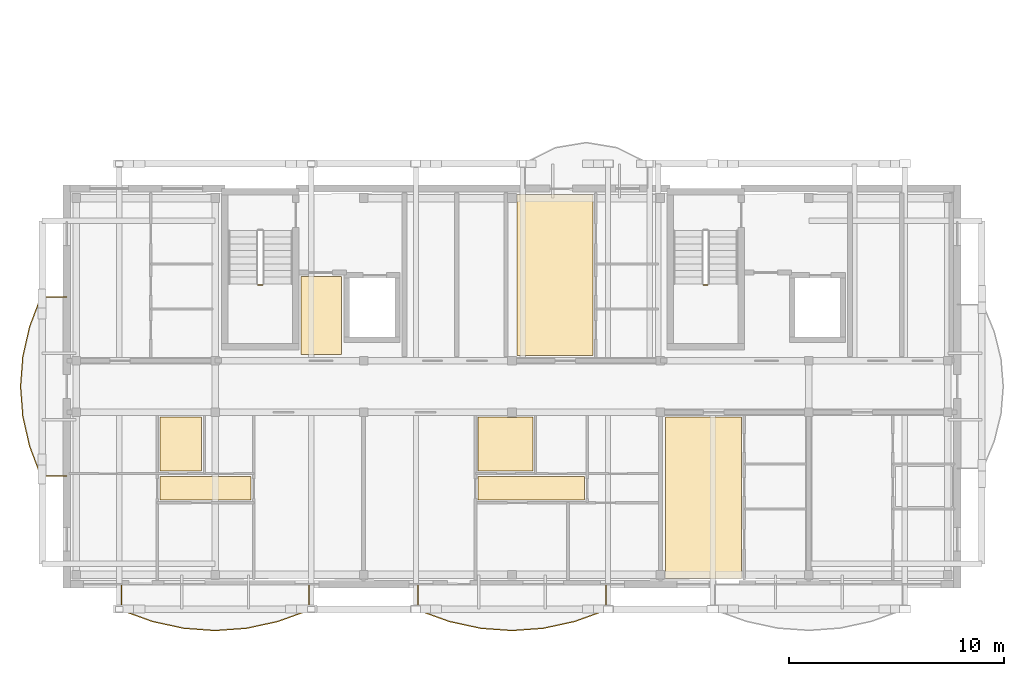
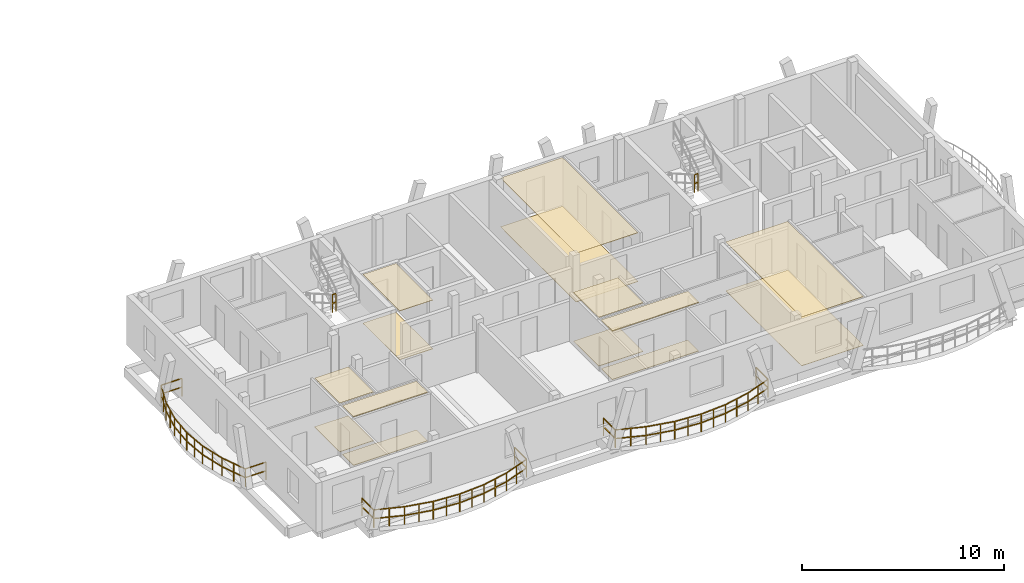
# One storey, part 15 of 18: 14 coverings, 5 railings.
"""IFC4 building model written with IfcOpenShell, lengths in metres."""

from ifc_helpers import new_model, si_unit, direction, frame, origin, origin_2d, place, context, subcontext, project, spatial, polyline, rectangle, outline, extrude, material, layer, layer_set, type_object, element, save


model = new_model("IFC4")

# Units and contexts
model_context = context("Model", 3, precision=1e-05, world=origin(), true_north=direction((0.0, 1.0)))
body_context = subcontext(model_context, "Body", "Model", "MODEL_VIEW")
ifc_project = project(units=[si_unit("LENGTHUNIT", "METRE"), si_unit("AREAUNIT", "SQUARE_METRE"), si_unit("VOLUMEUNIT", "CUBIC_METRE"), si_unit("PLANEANGLEUNIT", "RADIAN"), si_unit("MASSUNIT", "GRAM", prefix="KILO")], contexts=[model_context])

# Site, building, storey
site_placement = place(None, origin())
site = spatial("IfcSite", under=ifc_project, at=site_placement, CompositionType="ELEMENT")
building_placement = place(site_placement, origin())
building = spatial("IfcBuilding", under=site, at=building_placement, Name="Zavelmont Quarter", CompositionType="ELEMENT")
storey_placement = place(building_placement, frame((0.0, 0.0, 40.0)))
storey = spatial("IfcBuildingStorey", under=building, at=storey_placement, Name="L12", CompositionType="ELEMENT", Elevation=40.0)

# Coverings
ifc_material_1 = material(Name="Perforated acoustic gypsum board")
ifc_layer_1 = layer(ifc_material_1, 0.02490234375)
ifc_layer_set_1 = layer_set([ifc_layer_1], Name="Perforated acoustic gypsum board")
covering_type_1 = type_object("IfcCoveringType", Name="CV-CL01", PredefinedType="CEILING", material=ifc_layer_set_1)
covering_1_placement = place(storey_placement, frame((0.0, 0.0, 2.945068359375)))
element("IfcCovering", 1, at=covering_1_placement, inside=storey, type_object=covering_type_1, Name="L12 Lobby Vestibule acoustic ceiling", PredefinedType="CEILING", context=body_context, shape_type="SweptSolid", body=[
    extrude(outline(polyline([(10.8798828125, 14.320068359375), (12.77001953125, 14.320068359375), (12.77001953125, 10.679931640625), (10.8798828125, 10.679931640625), (10.8798828125, 14.320068359375)])), origin(), (0.0, 0.0, 1.0), 0.02490234375),
])
covering_2_placement = place(storey_placement, frame((0.0, 0.0, 2.945068359375)))
element("IfcCovering", 2, at=covering_2_placement, inside=storey, type_object=covering_type_1, Name="L12 Kitchen acoustic ceiling", PredefinedType="CEILING", context=body_context, shape_type="SweptSolid", body=[
    extrude(outline(polyline([(19.1298828125, 7.77001953125), (20.4599609375, 7.77001953125), (20.4599609375, 7.760009765625), (20.93994140625, 7.760009765625), (20.93994140625, 7.77001953125), (21.669921875, 7.77001953125), (21.669921875, 5.280029296875), (19.1298828125, 5.280029296875), (19.1298828125, 7.77001953125)])), origin(), (0.0, 0.0, 1.0), 0.02490234375),
])
covering_3_placement = place(storey_placement, frame((0.0, 0.0, 2.945068359375)))
element("IfcCovering", 3, at=covering_3_placement, inside=storey, type_object=covering_type_1, Name="L12 Living Dining acoustic ceiling", PredefinedType="CEILING", context=body_context, shape_type="SweptSolid", body=[
    extrude(outline(polyline([(27.830078125, 7.760009765625), (27.840087890625, 7.760009765625), (27.840087890625, 7.77001953125), (31.3701171875, 7.77001953125), (31.3701171875, 0.280029296875), (27.840087890625, 0.280029296875), (27.840087890625, 0.679931640625), (27.830078125, 0.679931640625), (27.830078125, 7.760009765625)])), origin(), (0.0, 0.0, 1.0), 0.02490234375),
])
covering_4_placement = place(storey_placement, frame((0.0, 0.0, 2.945068359375)))
element("IfcCovering", 4, at=covering_4_placement, inside=storey, type_object=covering_type_1, Name="L12 Living Dining acoustic ceiling", PredefinedType="CEILING", context=body_context, shape_type="SweptSolid", body=[
    extrude(outline(polyline([(20.929931640625, 17.719970703125), (20.93994140625, 17.719970703125), (20.93994140625, 18.1201171875), (24.469970703125, 18.1201171875), (24.469970703125, 10.6298828125), (20.93994140625, 10.6298828125), (20.93994140625, 10.639892578125), (20.929931640625, 10.639892578125), (20.929931640625, 17.719970703125)])), origin(), (0.0, 0.0, 1.0), 0.02490234375),
])
ifc_material_2 = material(Name="Slatted European ash acoustic baffle ceiling")
ifc_layer_2 = layer(ifc_material_2, 0.0400390625)
ifc_layer_set_2 = layer_set([ifc_layer_2], Name="Slatted European ash acoustic baffle ceiling")
covering_type_2 = type_object("IfcCoveringType", Name="CV-CL02", PredefinedType="CEILING", material=ifc_layer_set_2)
covering_5_placement = place(storey_placement, frame((0.0, 0.0, 2.929931640625)))
element("IfcCovering", 5, at=covering_5_placement, inside=storey, type_object=covering_type_2, Name="L12 Apartment Hall acoustic ceiling", PredefinedType="CEILING", context=body_context, shape_type="SweptSolid", body=[
    extrude(outline(polyline([(4.330078125, 5.02001953125), (8.570068359375, 5.02001953125), (8.570068359375, 3.929931640625), (4.330078125, 3.929931640625), (4.330078125, 5.02001953125)])), origin(), (0.0, 0.0, 1.0), 0.0400390625),
])
covering_6_placement = place(storey_placement, frame((0.0, 0.0, 2.929931640625)))
element("IfcCovering", 6, at=covering_6_placement, inside=storey, type_object=covering_type_2, Name="L12 Apartment Hall acoustic ceiling", PredefinedType="CEILING", context=body_context, shape_type="SweptSolid", body=[
    extrude(outline(polyline([(19.1298828125, 5.02001953125), (24.070068359375, 5.02001953125), (24.070068359375, 3.929931640625), (19.1298828125, 3.929931640625), (19.1298828125, 5.02001953125)])), origin(), (0.0, 0.0, 1.0), 0.0400390625),
])
ifc_material_3 = material(Name="Moisture-resistant painted gypsum ceiling")
ifc_layer_3 = layer(ifc_material_3, 0.02001953125)
ifc_layer_set_3 = layer_set([ifc_layer_3], Name="Moisture-resistant painted gypsum ceiling")
covering_type_3 = type_object("IfcCoveringType", Name="CV-CL04", PredefinedType="CEILING", material=ifc_layer_set_3)
covering_7_placement = place(storey_placement, frame((0.0, 0.0, 2.949951171875)))
element("IfcCovering", 7, at=covering_7_placement, inside=storey, type_object=covering_type_3, Name="L12 Bathroom acoustic ceiling", PredefinedType="CEILING", context=body_context, shape_type="SweptSolid", body=[
    extrude(outline(polyline([(4.330078125, 7.77001953125), (6.27001953125, 7.77001953125), (6.27001953125, 5.280029296875), (4.330078125, 5.280029296875), (4.330078125, 7.77001953125)])), origin(), (0.0, 0.0, 1.0), 0.02001953125),
])
ifc_material_4 = material(Name="Engineered European oak parquet")
ifc_layer_4 = layer(ifc_material_4, 0.02197265625)
ifc_layer_set_4 = layer_set([ifc_layer_4], Name="Engineered European oak parquet")
covering_type_4 = type_object("IfcCoveringType", Name="CV-FL01", PredefinedType="FLOORING", material=ifc_layer_set_4)
covering_8_placement = place(storey_placement, origin())
element("IfcCovering", 8, at=covering_8_placement, inside=storey, type_object=covering_type_4, Name="L12 Lobby Vestibule floor finish", PredefinedType="FLOORING", context=body_context, shape_type="SweptSolid", body=[
    extrude(outline(polyline([(10.8798828125, 14.320068359375), (12.77001953125, 14.320068359375), (12.77001953125, 10.679931640625), (10.8798828125, 10.679931640625), (10.8798828125, 14.320068359375)])), origin(), (0.0, 0.0, 1.0), 0.02197265625),
])
covering_9_placement = place(storey_placement, origin())
element("IfcCovering", 9, at=covering_9_placement, inside=storey, type_object=covering_type_4, Name="L12 Kitchen floor finish", PredefinedType="FLOORING", context=body_context, shape_type="SweptSolid", body=[
    extrude(outline(polyline([(19.1298828125, 7.77001953125), (20.4599609375, 7.77001953125), (20.4599609375, 7.760009765625), (20.93994140625, 7.760009765625), (20.93994140625, 7.77001953125), (21.669921875, 7.77001953125), (21.669921875, 5.280029296875), (19.1298828125, 5.280029296875), (19.1298828125, 7.77001953125)])), origin(), (0.0, 0.0, 1.0), 0.02197265625),
])
covering_10_placement = place(storey_placement, origin())
element("IfcCovering", 10, at=covering_10_placement, inside=storey, type_object=covering_type_4, Name="L12 Living Dining floor finish", PredefinedType="FLOORING", context=body_context, shape_type="SweptSolid", body=[
    extrude(outline(polyline([(27.830078125, 7.760009765625), (27.840087890625, 7.760009765625), (27.840087890625, 7.77001953125), (31.3701171875, 7.77001953125), (31.3701171875, 0.280029296875), (27.840087890625, 0.280029296875), (27.840087890625, 0.679931640625), (27.830078125, 0.679931640625), (27.830078125, 7.760009765625)])), origin(), (0.0, 0.0, 1.0), 0.02197265625),
])
covering_11_placement = place(storey_placement, origin())
element("IfcCovering", 11, at=covering_11_placement, inside=storey, type_object=covering_type_4, Name="L12 Living Dining floor finish", PredefinedType="FLOORING", context=body_context, shape_type="SweptSolid", body=[
    extrude(outline(polyline([(20.929931640625, 17.719970703125), (20.93994140625, 17.719970703125), (20.93994140625, 18.1201171875), (24.469970703125, 18.1201171875), (24.469970703125, 10.6298828125), (20.93994140625, 10.6298828125), (20.93994140625, 10.639892578125), (20.929931640625, 10.639892578125), (20.929931640625, 17.719970703125)])), origin(), (0.0, 0.0, 1.0), 0.02197265625),
])
ifc_material_5 = material(Name="Honed Belgian bluestone tile", Category="masonry")
ifc_layer_5 = layer(ifc_material_5, 0.030029296875)
ifc_layer_set_5 = layer_set([ifc_layer_5], Name="Honed Belgian bluestone tile")
covering_type_5 = type_object("IfcCoveringType", Name="CV-FL02", PredefinedType="FLOORING", material=ifc_layer_set_5)
covering_12_placement = place(storey_placement, origin())
element("IfcCovering", 12, at=covering_12_placement, inside=storey, type_object=covering_type_5, Name="L12 Apartment Hall floor finish", PredefinedType="FLOORING", context=body_context, shape_type="SweptSolid", body=[
    extrude(outline(polyline([(4.330078125, 5.02001953125), (8.570068359375, 5.02001953125), (8.570068359375, 3.929931640625), (4.330078125, 3.929931640625), (4.330078125, 5.02001953125)])), origin(), (0.0, 0.0, 1.0), 0.030029296875),
])
covering_13_placement = place(storey_placement, origin())
element("IfcCovering", 13, at=covering_13_placement, inside=storey, type_object=covering_type_5, Name="L12 Apartment Hall floor finish", PredefinedType="FLOORING", context=body_context, shape_type="SweptSolid", body=[
    extrude(outline(polyline([(19.1298828125, 5.02001953125), (24.070068359375, 5.02001953125), (24.070068359375, 3.929931640625), (19.1298828125, 3.929931640625), (19.1298828125, 5.02001953125)])), origin(), (0.0, 0.0, 1.0), 0.030029296875),
])
ifc_material_6 = material(Name="Slip-resistant porcelain tile")
ifc_layer_6 = layer(ifc_material_6, 0.02587890625)
ifc_layer_set_6 = layer_set([ifc_layer_6], Name="Slip-resistant porcelain tile")
covering_type_6 = type_object("IfcCoveringType", Name="CV-FL04", PredefinedType="FLOORING", material=ifc_layer_set_6)
covering_14_placement = place(storey_placement, origin())
element("IfcCovering", 14, at=covering_14_placement, inside=storey, type_object=covering_type_6, Name="L12 Bathroom floor finish", PredefinedType="FLOORING", context=body_context, shape_type="SweptSolid", body=[
    extrude(outline(polyline([(4.330078125, 7.77001953125), (6.27001953125, 7.77001953125), (6.27001953125, 5.280029296875), (4.330078125, 5.280029296875), (4.330078125, 7.77001953125)])), origin(), (0.0, 0.0, 1.0), 0.02587890625),
])

# Railings
ifc_material_7 = material(Name="Powder-coated steel and tempered double safety glass", Category="steel")
railing_type_1 = type_object("IfcRailingType", Name="RL-BAL1", PredefinedType="BALUSTRADE", material=ifc_material_7)
railing_1_placement = place(storey_placement, frame((2.534912109375, -0.02001953125, 0.0)))
element("IfcRailing", 15, at=railing_1_placement, inside=storey, type_object=railing_type_1, Name="L12 Block A curved balcony guard RL-BAL1", PredefinedType="BALUSTRADE", context=body_context, shape_type="SweptSolid", body=[
    extrude(rectangle(XDim=0.048095703125, YDim=0.048095703125, at=origin_2d()), frame((0.0, 0.0, 1.076171875), z_axis=(0.0, -1.0, 0.0), x_axis=(1.0, 0.0, 0.0)), (0.0, 0.0, 1.0), 1.18408203125),
    extrude(rectangle(XDim=0.048095703125, YDim=0.048095703125, at=origin_2d()), frame((0.0, 0.0, 0.550048828125), z_axis=(0.0, -1.0, 0.0), x_axis=(1.0, 0.0, 0.0)), (0.0, 0.0, 1.0), 1.18408203125),
    extrude(rectangle(XDim=0.048095703125, YDim=0.048095703125, at=origin_2d()), frame((0.0, -1.18408203125, 1.076171875), z_axis=(0.940565102283, -0.339613439616, 0.0), x_axis=(0.339613439616, 0.940565102283, 0.0)), (0.0, 0.0, 1.0), 1.547119140625),
    extrude(rectangle(XDim=0.048095703125, YDim=0.048095703125, at=origin_2d()), frame((0.0, -1.18408203125, 0.550048828125), z_axis=(0.940565102283, -0.339613439616, 0.0), x_axis=(0.339613439616, 0.940565102283, 0.0)), (0.0, 0.0, 1.0), 1.547119140625),
    extrude(rectangle(XDim=0.048095703125, YDim=0.048095703125, at=origin_2d()), frame((1.455078125, -1.70947265625, 1.076171875), z_axis=(0.977300510987, -0.211857761778, 0.0), x_axis=(0.211857761778, 0.977300510987, 0.0)), (0.0, 0.0, 1.0), 1.48876953125),
    extrude(rectangle(XDim=0.048095703125, YDim=0.048095703125, at=origin_2d()), frame((1.455078125, -1.70947265625, 0.550048828125), z_axis=(0.977300510987, -0.211857761778, 0.0), x_axis=(0.211857761778, 0.977300510987, 0.0)), (0.0, 0.0, 1.0), 1.48876953125),
    extrude(rectangle(XDim=0.048095703125, YDim=0.048095703125, at=origin_2d()), frame((2.91015625, -2.02490234375, 1.076171875), z_axis=(0.997406608157, -0.07197261982, 0.0), x_axis=(0.07197261982, 0.997406608157, 0.0)), (0.0, 0.0, 1.0), 1.45849609375),
    extrude(rectangle(XDim=0.048095703125, YDim=0.048095703125, at=origin_2d()), frame((2.91015625, -2.02490234375, 0.550048828125), z_axis=(0.997406608157, -0.07197261982, 0.0), x_axis=(0.07197261982, 0.997406608157, 0.0)), (0.0, 0.0, 1.0), 1.45849609375),
    extrude(rectangle(XDim=0.048095703125, YDim=0.048095703125, at=origin_2d()), frame((4.364990234375, -2.1298828125, 1.076171875), z_axis=(0.997407474969, 0.071960606416, 0.0), x_axis=(-0.071960606416, 0.997407474969, 0.0)), (0.0, 0.0, 1.0), 1.458740234375),
    extrude(rectangle(XDim=0.048095703125, YDim=0.048095703125, at=origin_2d()), frame((4.364990234375, -2.1298828125, 0.550048828125), z_axis=(0.997407474969, 0.071960606416, 0.0), x_axis=(-0.071960606416, 0.997407474969, 0.0)), (0.0, 0.0, 1.0), 1.458740234375),
    extrude(rectangle(XDim=0.048095703125, YDim=0.048095703125, at=origin_2d()), frame((5.820068359375, -2.02490234375, 1.076171875), z_axis=(0.977300510987, 0.211857761778, 0.0), x_axis=(-0.211857761778, 0.977300510987, 0.0)), (0.0, 0.0, 1.0), 1.48876953125),
    extrude(rectangle(XDim=0.048095703125, YDim=0.048095703125, at=origin_2d()), frame((5.820068359375, -2.02490234375, 0.550048828125), z_axis=(0.977300510987, 0.211857761778, 0.0), x_axis=(-0.211857761778, 0.977300510987, 0.0)), (0.0, 0.0, 1.0), 1.48876953125),
    extrude(rectangle(XDim=0.048095703125, YDim=0.048095703125, at=origin_2d()), frame((7.275146484375, -1.70947265625, 1.076171875), z_axis=(0.940546896513, 0.339663856569, 0.0), x_axis=(-0.339663856569, 0.940546896513, 0.0)), (0.0, 0.0, 1.0), 1.546875),
    extrude(rectangle(XDim=0.048095703125, YDim=0.048095703125, at=origin_2d()), frame((7.275146484375, -1.70947265625, 0.550048828125), z_axis=(0.940546896513, 0.339663856569, 0.0), x_axis=(-0.339663856569, 0.940546896513, 0.0)), (0.0, 0.0, 1.0), 1.546875),
    extrude(rectangle(XDim=0.048095703125, YDim=0.048095703125, at=origin_2d()), frame((8.72998046875, -1.18408203125, 1.076171875), z_axis=(0.0, 1.0, 0.0), x_axis=(-1.0, 0.0, 0.0)), (0.0, 0.0, 1.0), 1.18408203125),
    extrude(rectangle(XDim=0.048095703125, YDim=0.048095703125, at=origin_2d()), frame((8.72998046875, -1.18408203125, 0.550048828125), z_axis=(0.0, 1.0, 0.0), x_axis=(-1.0, 0.0, 0.0)), (0.0, 0.0, 1.0), 1.18408203125),
    extrude(rectangle(XDim=0.0419921875, YDim=0.0419921875, at=origin_2d()), origin(), (0.0, 0.0, 1.0), 1.052001953125),
    extrude(rectangle(XDim=0.0419921875, YDim=0.0419921875, at=origin_2d()), frame((0.0, -1.18408203125, 0.0)), (0.0, 0.0, 1.0), 1.052001953125),
    extrude(rectangle(XDim=0.0419921875, YDim=0.0419921875, at=origin_2d()), frame((0.7275390625, -1.44677734375, 0.0)), (0.0, 0.0, 1.0), 1.052001953125),
    extrude(rectangle(XDim=0.0419921875, YDim=0.0419921875, at=origin_2d()), frame((1.455078125, -1.70947265625, 0.0)), (0.0, 0.0, 1.0), 1.052001953125),
    extrude(rectangle(XDim=0.0419921875, YDim=0.0419921875, at=origin_2d()), frame((2.1826171875, -1.8671875, 0.0)), (0.0, 0.0, 1.0), 1.052001953125),
    extrude(rectangle(XDim=0.0419921875, YDim=0.0419921875, at=origin_2d()), frame((2.91015625, -2.02490234375, 0.0)), (0.0, 0.0, 1.0), 1.052001953125),
    extrude(rectangle(XDim=0.0419921875, YDim=0.0419921875, at=origin_2d()), frame((3.6376953125, -2.077392578125, 0.0)), (0.0, 0.0, 1.0), 1.052001953125),
    extrude(rectangle(XDim=0.0419921875, YDim=0.0419921875, at=origin_2d()), frame((4.364990234375, -2.1298828125, 0.0)), (0.0, 0.0, 1.0), 1.052001953125),
    extrude(rectangle(XDim=0.0419921875, YDim=0.0419921875, at=origin_2d()), frame((5.092529296875, -2.077392578125, 0.0)), (0.0, 0.0, 1.0), 1.052001953125),
    extrude(rectangle(XDim=0.0419921875, YDim=0.0419921875, at=origin_2d()), frame((5.820068359375, -2.02490234375, 0.0)), (0.0, 0.0, 1.0), 1.052001953125),
    extrude(rectangle(XDim=0.0419921875, YDim=0.0419921875, at=origin_2d()), frame((6.547607421875, -1.8671875, 0.0)), (0.0, 0.0, 1.0), 1.052001953125),
    extrude(rectangle(XDim=0.0419921875, YDim=0.0419921875, at=origin_2d()), frame((7.275146484375, -1.70947265625, 0.0)), (0.0, 0.0, 1.0), 1.052001953125),
    extrude(rectangle(XDim=0.0419921875, YDim=0.0419921875, at=origin_2d()), frame((8.00244140625, -1.44677734375, 0.0)), (0.0, 0.0, 1.0), 1.052001953125),
    extrude(rectangle(XDim=0.0419921875, YDim=0.0419921875, at=origin_2d()), frame((8.72998046875, -1.18408203125, 0.0)), (0.0, 0.0, 1.0), 1.052001953125),
    extrude(rectangle(XDim=0.0419921875, YDim=0.0419921875, at=origin_2d()), frame((8.72998046875, 0.0, 0.0)), (0.0, 0.0, 1.0), 1.052001953125),
])
railing_2_placement = place(storey_placement, frame((16.3349609375, -0.02001953125, 0.0)))
element("IfcRailing", 16, at=railing_2_placement, inside=storey, type_object=railing_type_1, Name="L12 Block A curved balcony guard RL-BAL1", PredefinedType="BALUSTRADE", context=body_context, shape_type="SweptSolid", body=[
    extrude(rectangle(XDim=0.048095703125, YDim=0.048095703125, at=origin_2d()), frame((0.0, 0.0, 1.076171875), z_axis=(0.0, -1.0, 0.0), x_axis=(1.0, 0.0, 0.0)), (0.0, 0.0, 1.0), 1.18408203125),
    extrude(rectangle(XDim=0.048095703125, YDim=0.048095703125, at=origin_2d()), frame((0.0, 0.0, 0.550048828125), z_axis=(0.0, -1.0, 0.0), x_axis=(1.0, 0.0, 0.0)), (0.0, 0.0, 1.0), 1.18408203125),
    extrude(rectangle(XDim=0.048095703125, YDim=0.048095703125, at=origin_2d()), frame((0.0, -1.18408203125, 1.076171875), z_axis=(0.940565102283, -0.339613439616, 0.0), x_axis=(0.339613439616, 0.940565102283, 0.0)), (0.0, 0.0, 1.0), 1.547119140625),
    extrude(rectangle(XDim=0.048095703125, YDim=0.048095703125, at=origin_2d()), frame((0.0, -1.18408203125, 0.550048828125), z_axis=(0.940565102283, -0.339613439616, 0.0), x_axis=(0.339613439616, 0.940565102283, 0.0)), (0.0, 0.0, 1.0), 1.547119140625),
    extrude(rectangle(XDim=0.048095703125, YDim=0.048095703125, at=origin_2d()), frame((1.455078125, -1.70947265625, 1.076171875), z_axis=(0.977300510987, -0.211857761778, 0.0), x_axis=(0.211857761778, 0.977300510987, 0.0)), (0.0, 0.0, 1.0), 1.48876953125),
    extrude(rectangle(XDim=0.048095703125, YDim=0.048095703125, at=origin_2d()), frame((1.455078125, -1.70947265625, 0.550048828125), z_axis=(0.977300510987, -0.211857761778, 0.0), x_axis=(0.211857761778, 0.977300510987, 0.0)), (0.0, 0.0, 1.0), 1.48876953125),
    extrude(rectangle(XDim=0.048095703125, YDim=0.048095703125, at=origin_2d()), frame((2.91015625, -2.02490234375, 1.076171875), z_axis=(0.997406608157, -0.07197261982, 0.0), x_axis=(0.07197261982, 0.997406608157, 0.0)), (0.0, 0.0, 1.0), 1.45849609375),
    extrude(rectangle(XDim=0.048095703125, YDim=0.048095703125, at=origin_2d()), frame((2.91015625, -2.02490234375, 0.550048828125), z_axis=(0.997406608157, -0.07197261982, 0.0), x_axis=(0.07197261982, 0.997406608157, 0.0)), (0.0, 0.0, 1.0), 1.45849609375),
    extrude(rectangle(XDim=0.048095703125, YDim=0.048095703125, at=origin_2d()), frame((4.364990234375, -2.1298828125, 1.076171875), z_axis=(0.997407474969, 0.071960606416, 0.0), x_axis=(-0.071960606416, 0.997407474969, 0.0)), (0.0, 0.0, 1.0), 1.458740234375),
    extrude(rectangle(XDim=0.048095703125, YDim=0.048095703125, at=origin_2d()), frame((4.364990234375, -2.1298828125, 0.550048828125), z_axis=(0.997407474969, 0.071960606416, 0.0), x_axis=(-0.071960606416, 0.997407474969, 0.0)), (0.0, 0.0, 1.0), 1.458740234375),
    extrude(rectangle(XDim=0.048095703125, YDim=0.048095703125, at=origin_2d()), frame((5.820068359375, -2.02490234375, 1.076171875), z_axis=(0.977300510987, 0.211857761778, 0.0), x_axis=(-0.211857761778, 0.977300510987, 0.0)), (0.0, 0.0, 1.0), 1.48876953125),
    extrude(rectangle(XDim=0.048095703125, YDim=0.048095703125, at=origin_2d()), frame((5.820068359375, -2.02490234375, 0.550048828125), z_axis=(0.977300510987, 0.211857761778, 0.0), x_axis=(-0.211857761778, 0.977300510987, 0.0)), (0.0, 0.0, 1.0), 1.48876953125),
    extrude(rectangle(XDim=0.048095703125, YDim=0.048095703125, at=origin_2d()), frame((7.275146484375, -1.70947265625, 1.076171875), z_axis=(0.940546896513, 0.339663856569, 0.0), x_axis=(-0.339663856569, 0.940546896513, 0.0)), (0.0, 0.0, 1.0), 1.546875),
    extrude(rectangle(XDim=0.048095703125, YDim=0.048095703125, at=origin_2d()), frame((7.275146484375, -1.70947265625, 0.550048828125), z_axis=(0.940546896513, 0.339663856569, 0.0), x_axis=(-0.339663856569, 0.940546896513, 0.0)), (0.0, 0.0, 1.0), 1.546875),
    extrude(rectangle(XDim=0.048095703125, YDim=0.048095703125, at=origin_2d()), frame((8.72998046875, -1.18408203125, 1.076171875), z_axis=(0.0, 1.0, 0.0), x_axis=(-1.0, 0.0, 0.0)), (0.0, 0.0, 1.0), 1.18408203125),
    extrude(rectangle(XDim=0.048095703125, YDim=0.048095703125, at=origin_2d()), frame((8.72998046875, -1.18408203125, 0.550048828125), z_axis=(0.0, 1.0, 0.0), x_axis=(-1.0, 0.0, 0.0)), (0.0, 0.0, 1.0), 1.18408203125),
    extrude(rectangle(XDim=0.0419921875, YDim=0.0419921875, at=origin_2d()), origin(), (0.0, 0.0, 1.0), 1.052001953125),
    extrude(rectangle(XDim=0.0419921875, YDim=0.0419921875, at=origin_2d()), frame((0.0, -1.18408203125, 0.0)), (0.0, 0.0, 1.0), 1.052001953125),
    extrude(rectangle(XDim=0.0419921875, YDim=0.0419921875, at=origin_2d()), frame((0.7275390625, -1.44677734375, 0.0)), (0.0, 0.0, 1.0), 1.052001953125),
    extrude(rectangle(XDim=0.0419921875, YDim=0.0419921875, at=origin_2d()), frame((1.455078125, -1.70947265625, 0.0)), (0.0, 0.0, 1.0), 1.052001953125),
    extrude(rectangle(XDim=0.0419921875, YDim=0.0419921875, at=origin_2d()), frame((2.1826171875, -1.8671875, 0.0)), (0.0, 0.0, 1.0), 1.052001953125),
    extrude(rectangle(XDim=0.0419921875, YDim=0.0419921875, at=origin_2d()), frame((2.91015625, -2.02490234375, 0.0)), (0.0, 0.0, 1.0), 1.052001953125),
    extrude(rectangle(XDim=0.0419921875, YDim=0.0419921875, at=origin_2d()), frame((3.6376953125, -2.077392578125, 0.0)), (0.0, 0.0, 1.0), 1.052001953125),
    extrude(rectangle(XDim=0.0419921875, YDim=0.0419921875, at=origin_2d()), frame((4.364990234375, -2.1298828125, 0.0)), (0.0, 0.0, 1.0), 1.052001953125),
    extrude(rectangle(XDim=0.0419921875, YDim=0.0419921875, at=origin_2d()), frame((5.092529296875, -2.077392578125, 0.0)), (0.0, 0.0, 1.0), 1.052001953125),
    extrude(rectangle(XDim=0.0419921875, YDim=0.0419921875, at=origin_2d()), frame((5.820068359375, -2.02490234375, 0.0)), (0.0, 0.0, 1.0), 1.052001953125),
    extrude(rectangle(XDim=0.0419921875, YDim=0.0419921875, at=origin_2d()), frame((6.547607421875, -1.8671875, 0.0)), (0.0, 0.0, 1.0), 1.052001953125),
    extrude(rectangle(XDim=0.0419921875, YDim=0.0419921875, at=origin_2d()), frame((7.275146484375, -1.70947265625, 0.0)), (0.0, 0.0, 1.0), 1.052001953125),
    extrude(rectangle(XDim=0.0419921875, YDim=0.0419921875, at=origin_2d()), frame((8.00244140625, -1.44677734375, 0.0)), (0.0, 0.0, 1.0), 1.052001953125),
    extrude(rectangle(XDim=0.0419921875, YDim=0.0419921875, at=origin_2d()), frame((8.72998046875, -1.18408203125, 0.0)), (0.0, 0.0, 1.0), 1.052001953125),
    extrude(rectangle(XDim=0.0419921875, YDim=0.0419921875, at=origin_2d()), frame((8.72998046875, 0.0, 0.0)), (0.0, 0.0, 1.0), 1.052001953125),
])
railing_3_placement = place(storey_placement, frame((-0.02001953125, 13.3662109375, 0.0)))
element("IfcRailing", 17, at=railing_3_placement, inside=storey, type_object=railing_type_1, Name="L12 Block A curved balcony guard RL-BAL1", PredefinedType="BALUSTRADE", context=body_context, shape_type="SweptSolid", body=[
    extrude(rectangle(XDim=0.048095703125, YDim=0.048095703125, at=origin_2d()), frame((0.0, 0.0, 1.076171875), z_axis=(-1.0, 0.0, 0.0), x_axis=(0.0, -1.0, 0.0)), (0.0, 0.0, 1.0), 1.18408203125),
    extrude(rectangle(XDim=0.048095703125, YDim=0.048095703125, at=origin_2d()), frame((0.0, 0.0, 0.550048828125), z_axis=(-1.0, 0.0, 0.0), x_axis=(0.0, -1.0, 0.0)), (0.0, 0.0, 1.0), 1.18408203125),
    extrude(rectangle(XDim=0.048095703125, YDim=0.048095703125, at=origin_2d()), frame((-1.18408203125, 0.0, 1.076171875), z_axis=(-0.35386099669, -0.935298024708, 0.0), x_axis=(0.935298024708, -0.35386099669, 0.0)), (0.0, 0.0, 1.0), 1.484619140625),
    extrude(rectangle(XDim=0.048095703125, YDim=0.048095703125, at=origin_2d()), frame((-1.18408203125, 0.0, 0.550048828125), z_axis=(-0.35386099669, -0.935298024708, 0.0), x_axis=(0.935298024708, -0.35386099669, 0.0)), (0.0, 0.0, 1.0), 1.484619140625),
    extrude(rectangle(XDim=0.048095703125, YDim=0.048095703125, at=origin_2d()), frame((-1.70947265625, -1.388671875, 1.076171875), z_axis=(-0.221465515744, -0.975168203612, 0.0), x_axis=(0.975168203612, -0.221465515744, 0.0)), (0.0, 0.0, 1.0), 1.42431640625),
    extrude(rectangle(XDim=0.048095703125, YDim=0.048095703125, at=origin_2d()), frame((-1.70947265625, -1.388671875, 0.550048828125), z_axis=(-0.221465515744, -0.975168203612, 0.0), x_axis=(0.975168203612, -0.221465515744, 0.0)), (0.0, 0.0, 1.0), 1.42431640625),
    extrude(rectangle(XDim=0.048095703125, YDim=0.048095703125, at=origin_2d()), frame((-2.02490234375, -2.777587890625, 1.076171875), z_axis=(-0.075382649869, -0.997154680127, 0.0), x_axis=(0.997154680127, -0.075382649869, 0.0)), (0.0, 0.0, 1.0), 1.392578125),
    extrude(rectangle(XDim=0.048095703125, YDim=0.048095703125, at=origin_2d()), frame((-2.02490234375, -2.777587890625, 0.550048828125), z_axis=(-0.075382649869, -0.997154680127, 0.0), x_axis=(0.997154680127, -0.075382649869, 0.0)), (0.0, 0.0, 1.0), 1.392578125),
    extrude(rectangle(XDim=0.048095703125, YDim=0.048095703125, at=origin_2d()), frame((-2.1298828125, -4.166259765625, 1.076171875), z_axis=(0.075382649869, -0.997154680127, 0.0), x_axis=(0.997154680127, 0.075382649869, 0.0)), (0.0, 0.0, 1.0), 1.392578125),
    extrude(rectangle(XDim=0.048095703125, YDim=0.048095703125, at=origin_2d()), frame((-2.1298828125, -4.166259765625, 0.550048828125), z_axis=(0.075382649869, -0.997154680127, 0.0), x_axis=(0.997154680127, 0.075382649869, 0.0)), (0.0, 0.0, 1.0), 1.392578125),
    extrude(rectangle(XDim=0.048095703125, YDim=0.048095703125, at=origin_2d()), frame((-2.02490234375, -5.554931640625, 1.076171875), z_axis=(0.221502541162, -0.975159794218, 0.0), x_axis=(0.975159794218, 0.221502541162, 0.0)), (0.0, 0.0, 1.0), 1.424072265625),
    extrude(rectangle(XDim=0.048095703125, YDim=0.048095703125, at=origin_2d()), frame((-2.02490234375, -5.554931640625, 0.550048828125), z_axis=(0.221502541162, -0.975159794218, 0.0), x_axis=(0.975159794218, 0.221502541162, 0.0)), (0.0, 0.0, 1.0), 1.424072265625),
    extrude(rectangle(XDim=0.048095703125, YDim=0.048095703125, at=origin_2d()), frame((-1.70947265625, -6.943603515625, 1.076171875), z_axis=(0.353806582629, -0.935318609934, 0.0), x_axis=(0.935318609934, 0.353806582629, 0.0)), (0.0, 0.0, 1.0), 1.48486328125),
    extrude(rectangle(XDim=0.048095703125, YDim=0.048095703125, at=origin_2d()), frame((-1.70947265625, -6.943603515625, 0.550048828125), z_axis=(0.353806582629, -0.935318609934, 0.0), x_axis=(0.935318609934, 0.353806582629, 0.0)), (0.0, 0.0, 1.0), 1.48486328125),
    extrude(rectangle(XDim=0.048095703125, YDim=0.048095703125, at=origin_2d()), frame((-1.18408203125, -8.33251953125, 1.076171875), z_axis=(1.0, 0.0, 0.0), x_axis=(0.0, 1.0, 0.0)), (0.0, 0.0, 1.0), 1.18408203125),
    extrude(rectangle(XDim=0.048095703125, YDim=0.048095703125, at=origin_2d()), frame((-1.18408203125, -8.33251953125, 0.550048828125), z_axis=(1.0, 0.0, 0.0), x_axis=(0.0, 1.0, 0.0)), (0.0, 0.0, 1.0), 1.18408203125),
    extrude(rectangle(XDim=0.0419921875, YDim=0.0419921875, at=origin_2d()), origin(), (0.0, 0.0, 1.0), 1.052001953125),
    extrude(rectangle(XDim=0.0419921875, YDim=0.0419921875, at=origin_2d()), frame((-1.18408203125, 0.0, 0.0)), (0.0, 0.0, 1.0), 1.052001953125),
    extrude(rectangle(XDim=0.0419921875, YDim=0.0419921875, at=origin_2d()), frame((-1.44677734375, -0.6943359375, 0.0)), (0.0, 0.0, 1.0), 1.052001953125),
    extrude(rectangle(XDim=0.0419921875, YDim=0.0419921875, at=origin_2d()), frame((-1.70947265625, -1.388671875, 0.0)), (0.0, 0.0, 1.0), 1.052001953125),
    extrude(rectangle(XDim=0.0419921875, YDim=0.0419921875, at=origin_2d()), frame((-1.8671875, -2.0830078125, 0.0)), (0.0, 0.0, 1.0), 1.052001953125),
    extrude(rectangle(XDim=0.0419921875, YDim=0.0419921875, at=origin_2d()), frame((-2.02490234375, -2.777587890625, 0.0)), (0.0, 0.0, 1.0), 1.052001953125),
    extrude(rectangle(XDim=0.0419921875, YDim=0.0419921875, at=origin_2d()), frame((-2.077392578125, -3.471923828125, 0.0)), (0.0, 0.0, 1.0), 1.052001953125),
    extrude(rectangle(XDim=0.0419921875, YDim=0.0419921875, at=origin_2d()), frame((-2.1298828125, -4.166259765625, 0.0)), (0.0, 0.0, 1.0), 1.052001953125),
    extrude(rectangle(XDim=0.0419921875, YDim=0.0419921875, at=origin_2d()), frame((-2.077392578125, -4.860595703125, 0.0)), (0.0, 0.0, 1.0), 1.052001953125),
    extrude(rectangle(XDim=0.0419921875, YDim=0.0419921875, at=origin_2d()), frame((-2.02490234375, -5.554931640625, 0.0)), (0.0, 0.0, 1.0), 1.052001953125),
    extrude(rectangle(XDim=0.0419921875, YDim=0.0419921875, at=origin_2d()), frame((-1.8671875, -6.249267578125, 0.0)), (0.0, 0.0, 1.0), 1.052001953125),
    extrude(rectangle(XDim=0.0419921875, YDim=0.0419921875, at=origin_2d()), frame((-1.70947265625, -6.943603515625, 0.0)), (0.0, 0.0, 1.0), 1.052001953125),
    extrude(rectangle(XDim=0.0419921875, YDim=0.0419921875, at=origin_2d()), frame((-1.44677734375, -7.63818359375, 0.0)), (0.0, 0.0, 1.0), 1.052001953125),
    extrude(rectangle(XDim=0.0419921875, YDim=0.0419921875, at=origin_2d()), frame((-1.18408203125, -8.33251953125, 0.0)), (0.0, 0.0, 1.0), 1.052001953125),
    extrude(rectangle(XDim=0.0419921875, YDim=0.0419921875, at=origin_2d()), frame((0.0, -8.33251953125, 0.0)), (0.0, 0.0, 1.0), 1.052001953125),
])
ifc_material_8 = material(Name="Powder-coated steel stair guardrail", Category="steel")
railing_type_2 = type_object("IfcRailingType", Name="RL-GRD1", PredefinedType="GUARDRAIL", material=ifc_material_8)
railing_4_placement = place(storey_placement, frame((8.89990234375, 13.919921875, 1.60009765625)))
element("IfcRailing", 18, at=railing_4_placement, inside=storey, type_object=railing_type_2, Name="L12 ST01 stair guardrail 2", PredefinedType="GUARDRAIL", context=body_context, shape_type="SweptSolid", body=[
    extrude(rectangle(XDim=0.048095703125, YDim=0.048095703125, at=origin_2d()), frame((0.0, 0.0, 1.076171875), z_axis=(1.0, 0.0, 0.0), x_axis=(0.0, 1.0, 0.0)), (0.0, 0.0, 1.0), 0.2001953125),
    extrude(rectangle(XDim=0.048095703125, YDim=0.048095703125, at=origin_2d()), frame((0.0, 0.0, 0.550048828125), z_axis=(1.0, 0.0, 0.0), x_axis=(0.0, 1.0, 0.0)), (0.0, 0.0, 1.0), 0.2001953125),
    extrude(rectangle(XDim=0.0419921875, YDim=0.0419921875, at=origin_2d()), origin(), (0.0, 0.0, 1.0), 1.052001953125),
    extrude(rectangle(XDim=0.0419921875, YDim=0.0419921875, at=origin_2d()), frame((0.2001953125, 0.0, 0.0)), (0.0, 0.0, 1.0), 1.052001953125),
])
railing_5_placement = place(storey_placement, frame((29.60009765625, 13.919921875, 1.60009765625)))
element("IfcRailing", 19, at=railing_5_placement, inside=storey, type_object=railing_type_2, Name="L12 ST02 stair guardrail 2", PredefinedType="GUARDRAIL", context=body_context, shape_type="SweptSolid", body=[
    extrude(rectangle(XDim=0.048095703125, YDim=0.048095703125, at=origin_2d()), frame((0.0, 0.0, 1.076171875), z_axis=(1.0, 0.0, 0.0), x_axis=(0.0, 1.0, 0.0)), (0.0, 0.0, 1.0), 0.199951171875),
    extrude(rectangle(XDim=0.048095703125, YDim=0.048095703125, at=origin_2d()), frame((0.0, 0.0, 0.550048828125), z_axis=(1.0, 0.0, 0.0), x_axis=(0.0, 1.0, 0.0)), (0.0, 0.0, 1.0), 0.199951171875),
    extrude(rectangle(XDim=0.0419921875, YDim=0.0419921875, at=origin_2d()), origin(), (0.0, 0.0, 1.0), 1.052001953125),
    extrude(rectangle(XDim=0.0419921875, YDim=0.0419921875, at=origin_2d()), frame((0.199951171875, 0.0, 0.0)), (0.0, 0.0, 1.0), 1.052001953125),
])

save(model, "model.ifc")
